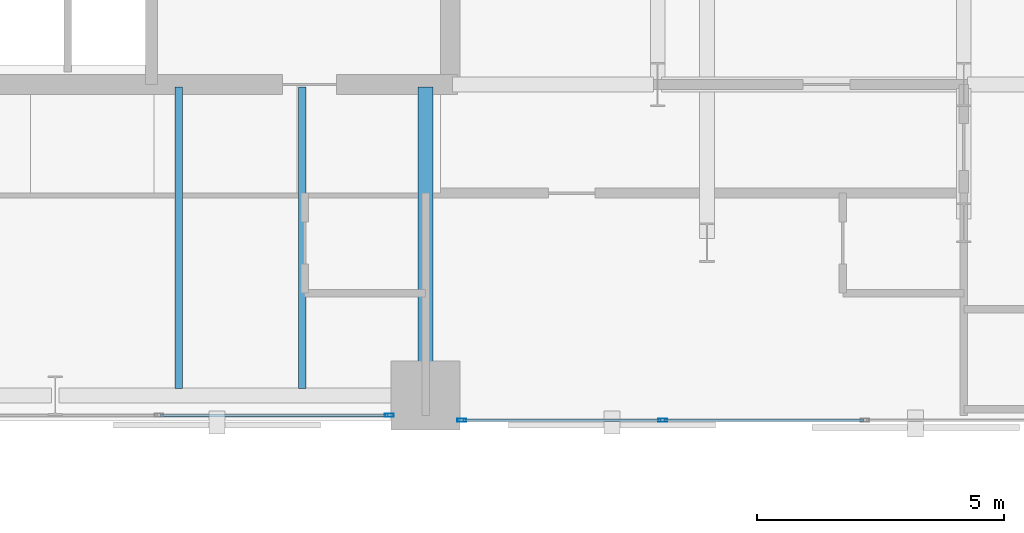
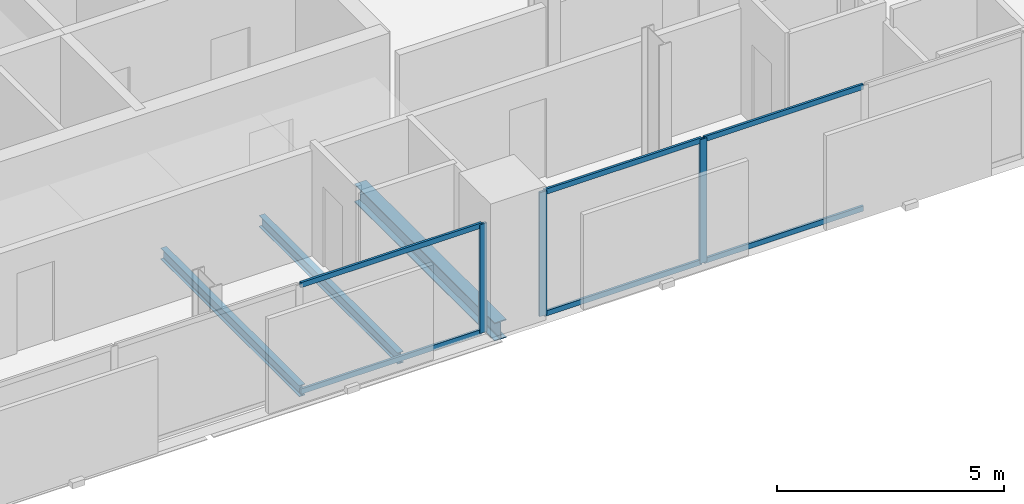
# One storey, part 15 of 33: 9 members, 3 beams, 2 elements without a shape of their own.
"""IFC4 building model written with IfcOpenShell, lengths in metres."""

from ifc_helpers import new_model, si_unit, direction, frame, origin, origin_2d, place, context, subcontext, project, spatial, hollow_rectangle, i_section, extrude, material, layer, layer_set, material_profile, profile_set, type_object, element, aggregate, save


model = new_model("IFC4")

# Units and contexts
model_context = context("Model", 3, precision=1e-05, world=origin(), true_north=direction((0.0, 1.0)))
body_context = subcontext(model_context, "Body", "Model", "MODEL_VIEW")
ifc_project = project(units=[si_unit("LENGTHUNIT", "METRE"), si_unit("AREAUNIT", "SQUARE_METRE"), si_unit("VOLUMEUNIT", "CUBIC_METRE"), si_unit("PLANEANGLEUNIT", "RADIAN"), si_unit("MASSUNIT", "GRAM", prefix="KILO")], contexts=[model_context])

# Site, building, storey
site_placement = place(None, origin())
site = spatial("IfcSite", under=ifc_project, at=site_placement, CompositionType="ELEMENT")
building_placement = place(site_placement, origin())
building = spatial("IfcBuilding", under=site, at=building_placement, Name="Catumbela Crestline Tower", CompositionType="ELEMENT")
storey_placement = place(building_placement, frame((0.0, 0.0, 72.6)))
storey = spatial("IfcBuildingStorey", under=building, at=storey_placement, Name="L18", CompositionType="ELEMENT", Elevation=72.6)

# Beams
ifc_material_1 = material(Name="Structural steel S355J2", Category="steel")
ifc_material_profile_1 = material_profile(ifc_material_1, i_section(OverallWidth=0.3, OverallDepth=0.49, WebThickness=0.012, FlangeThickness=0.023, FilletRadius=0.027, at=origin_2d()), Name="HEA 500")
ifc_profile_set_1 = profile_set([ifc_material_profile_1], Name="Structural steel S355J2")
beam_type_1 = type_object("IfcBeamType", Name="BG-HEA500", PredefinedType="BEAM", material=ifc_profile_set_1)
beam_placement = place(storey_placement, frame((39.5, 24.58, -0.505), z_axis=(0.0, 1.0, 0.0), x_axis=(-1.0, 0.0, 0.0)))
element("IfcBeam", 1, at=beam_placement, inside=storey, type_object=beam_type_1, Name="L18 Beam BM-L18-SNS34", PredefinedType="BEAM", context=body_context, shape_type="SweptSolid", body=[
    extrude(i_section(OverallWidth=0.3, OverallDepth=0.49, WebThickness=0.012, FlangeThickness=0.023, FilletRadius=0.027, at=origin_2d()), origin(), (0.0, 0.0, 1.0), 6.17),
])
ifc_material_profile_2 = material_profile(ifc_material_1, i_section(OverallWidth=0.15, OverallDepth=0.3, WebThickness=0.0071, FlangeThickness=0.0107, FilletRadius=0.015, at=origin_2d()), Name="IPE 300")
ifc_profile_set_2 = profile_set([ifc_material_profile_2], Name="Structural steel S355J2")
beam_type_2 = type_object("IfcBeamType", Name="BJ-IPE300", PredefinedType="JOIST", material=ifc_profile_set_2)
for number, where, z_axis, x_axis, name in (
    (2, (34.5, 24.647, -0.41), (0.0, 1.0, 0.0), (-1.0, 0.0, 0.0), "L18 Joist JS-L18-SP46"),
    (3, (37.0, 24.647, -0.41), (0.0, 1.0, 0.0), (-1.0, 0.0, 0.0), "L18 Joist JS-L18-SP47"),
):
    element("IfcBeam", number, at=place(storey_placement, frame(where, z_axis=z_axis, x_axis=x_axis)), inside=storey, type_object=beam_type_2, Name=name, PredefinedType="JOIST", context=body_context, shape_type="SweptSolid", body=[
        extrude(i_section(OverallWidth=0.15, OverallDepth=0.3, WebThickness=0.0071, FlangeThickness=0.0107, FilletRadius=0.015, at=origin_2d()), origin(), (0.0, 0.0, 1.0), 6.103),
    ])

# Curtain wall, member
ifc_material_2 = material(Name="Aluminium alloy AW-6060-T66", Category="aluminium")
ifc_layer = layer(ifc_material_2, 0.18, Name="Aluminium alloy AW-6060-T66")
ifc_layer_set = layer_set([ifc_layer], Name="Aluminium alloy AW-6060-T66")
curtain_wall_type = type_object("IfcCurtainWallType", Name="CWU-Z1", PredefinedType="USERDEFINED", material=ifc_layer_set)
curtain_wall_1_placement = place(storey_placement, origin())
curtain_wall_1 = element("IfcCurtainWall", 4, at=curtain_wall_1_placement, inside=storey, type_object=curtain_wall_type, Name="L18 Unitised Curtain Wall CW-L18-E3S1", ObjectType="UNITISED", PredefinedType="USERDEFINED")
ifc_material_profile_3 = material_profile(ifc_material_2, hollow_rectangle(XDim=0.065, YDim=0.18, WallThickness=0.004, at=origin_2d()), Name="ALU 180x65x4")
ifc_profile_set_3 = profile_set([ifc_material_profile_3], Name="Aluminium alloy AW-6060-T66")
member_type_1 = type_object("IfcMemberType", Name="MUL-180X65", PredefinedType="MULLION", material=ifc_profile_set_3)
member_1_placement = place(storey_placement, frame((38.7675, 24.1, 0.0), z_axis=(0.0, 0.0, 1.0), x_axis=(0.0, 1.0, 0.0)))
member_1 = element("IfcMember", 5, at=member_1_placement, type_object=member_type_1, Name="CWU-Z1 mullion 4", PredefinedType="MULLION", context=body_context, shape_type="SweptSolid", body=[
    extrude(hollow_rectangle(XDim=0.065, YDim=0.18, WallThickness=0.004, at=origin_2d()), origin(), (0.0, 0.0, 1.0), 2.92),
])

# Curtain wall, members
curtain_wall_2_placement = place(storey_placement, origin())
curtain_wall_2 = element("IfcCurtainWall", 6, at=curtain_wall_2_placement, inside=storey, type_object=curtain_wall_type, Name="L18 Unitised Curtain Wall CW-L18-E3S2", ObjectType="UNITISED", PredefinedType="USERDEFINED")
member_2_placement = place(storey_placement, frame((40.2325, 24.0, 0.0), z_axis=(0.0, 0.0, 1.0), x_axis=(0.0, 1.0, 0.0)))
member_2 = element("IfcMember", 7, at=member_2_placement, type_object=member_type_1, Name="CWU-Z1 mullion 1", PredefinedType="MULLION", context=body_context, shape_type="SweptSolid", body=[
    extrude(hollow_rectangle(XDim=0.065, YDim=0.18, WallThickness=0.004, at=origin_2d()), origin(), (0.0, 0.0, 1.0), 3.33),
])
member_3_placement = place(storey_placement, frame((44.3, 24.0, 0.0), z_axis=(0.0, 0.0, 1.0), x_axis=(0.0, 1.0, 0.0)))
member_3 = element("IfcMember", 8, at=member_3_placement, type_object=member_type_1, Name="CWU-Z1 mullion 2", PredefinedType="MULLION", context=body_context, shape_type="SweptSolid", body=[
    extrude(hollow_rectangle(XDim=0.065, YDim=0.18, WallThickness=0.004, at=origin_2d()), origin(), (0.0, 0.0, 1.0), 3.33),
])

# Member
ifc_material_profile_4 = material_profile(ifc_material_2, hollow_rectangle(XDim=0.06, YDim=0.14, WallThickness=0.004, at=origin_2d()), Name="ALU 140x60x4")
ifc_profile_set_4 = profile_set([ifc_material_profile_4], Name="Aluminium alloy AW-6060-T66")
member_type_2 = type_object("IfcMemberType", Name="TRN-140X60", PredefinedType="USERDEFINED", material=ifc_profile_set_4)
member_4_placement = place(storey_placement, frame((34.1325, 24.1, 0.03), z_axis=(1.0, 0.0, 0.0), x_axis=(0.0, 1.0, 0.0)))
member_4 = element("IfcMember", 9, at=member_4_placement, type_object=member_type_2, Name="CWU-Z1 transom 3.1", ObjectType="TRANSOM", PredefinedType="USERDEFINED", context=body_context, shape_type="SweptSolid", body=[
    extrude(hollow_rectangle(XDim=0.06, YDim=0.14, WallThickness=0.004, at=origin_2d()), origin(), (0.0, 0.0, 1.0), 4.6025),
])

member_5_placement = place(storey_placement, frame((34.1325, 24.1, 2.89), z_axis=(1.0, 0.0, 0.0), x_axis=(0.0, 1.0, 0.0)))
member_5 = element("IfcMember", 10, at=member_5_placement, type_object=member_type_2, Name="CWU-Z1 transom 3.2", ObjectType="TRANSOM", PredefinedType="USERDEFINED", context=body_context, shape_type="SweptSolid", body=[
    extrude(hollow_rectangle(XDim=0.06, YDim=0.14, WallThickness=0.004, at=origin_2d()), origin(), (0.0, 0.0, 1.0), 4.6025),
])

aggregate(curtain_wall_1, [member_1, member_4, member_5])

member_6_placement = place(storey_placement, frame((40.265, 24.0, 0.03), z_axis=(1.0, 0.0, 0.0), x_axis=(0.0, 1.0, 0.0)))
member_6 = element("IfcMember", 11, at=member_6_placement, type_object=member_type_2, Name="CWU-Z1 transom 1.1", ObjectType="TRANSOM", PredefinedType="USERDEFINED", context=body_context, shape_type="SweptSolid", body=[
    extrude(hollow_rectangle(XDim=0.06, YDim=0.14, WallThickness=0.004, at=origin_2d()), origin(), (0.0, 0.0, 1.0), 4.0025),
])

member_7_placement = place(storey_placement, frame((40.265, 24.0, 3.3), z_axis=(1.0, 0.0, 0.0), x_axis=(0.0, 1.0, 0.0)))
member_7 = element("IfcMember", 12, at=member_7_placement, type_object=member_type_2, Name="CWU-Z1 transom 1.2", ObjectType="TRANSOM", PredefinedType="USERDEFINED", context=body_context, shape_type="SweptSolid", body=[
    extrude(hollow_rectangle(XDim=0.06, YDim=0.14, WallThickness=0.004, at=origin_2d()), origin(), (0.0, 0.0, 1.0), 4.0025),
])

member_8_placement = place(storey_placement, frame((44.3325, 24.0, 0.03), z_axis=(1.0, 0.0, 0.0), x_axis=(0.0, 1.0, 0.0)))
member_8 = element("IfcMember", 13, at=member_8_placement, type_object=member_type_2, Name="CWU-Z1 transom 2.1", ObjectType="TRANSOM", PredefinedType="USERDEFINED", context=body_context, shape_type="SweptSolid", body=[
    extrude(hollow_rectangle(XDim=0.06, YDim=0.14, WallThickness=0.004, at=origin_2d()), origin(), (0.0, 0.0, 1.0), 4.035),
])

member_9_placement = place(storey_placement, frame((44.3325, 24.0, 3.3), z_axis=(1.0, 0.0, 0.0), x_axis=(0.0, 1.0, 0.0)))
member_9 = element("IfcMember", 14, at=member_9_placement, type_object=member_type_2, Name="CWU-Z1 transom 2.2", ObjectType="TRANSOM", PredefinedType="USERDEFINED", context=body_context, shape_type="SweptSolid", body=[
    extrude(hollow_rectangle(XDim=0.06, YDim=0.14, WallThickness=0.004, at=origin_2d()), origin(), (0.0, 0.0, 1.0), 4.035),
])

aggregate(curtain_wall_2, [member_2, member_3, member_6, member_7, member_8, member_9])

save(model, "model.ifc")
